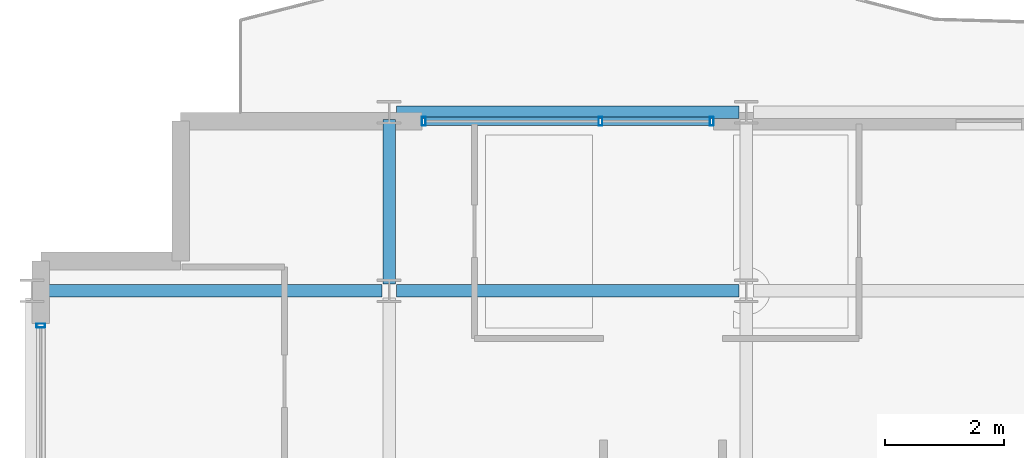
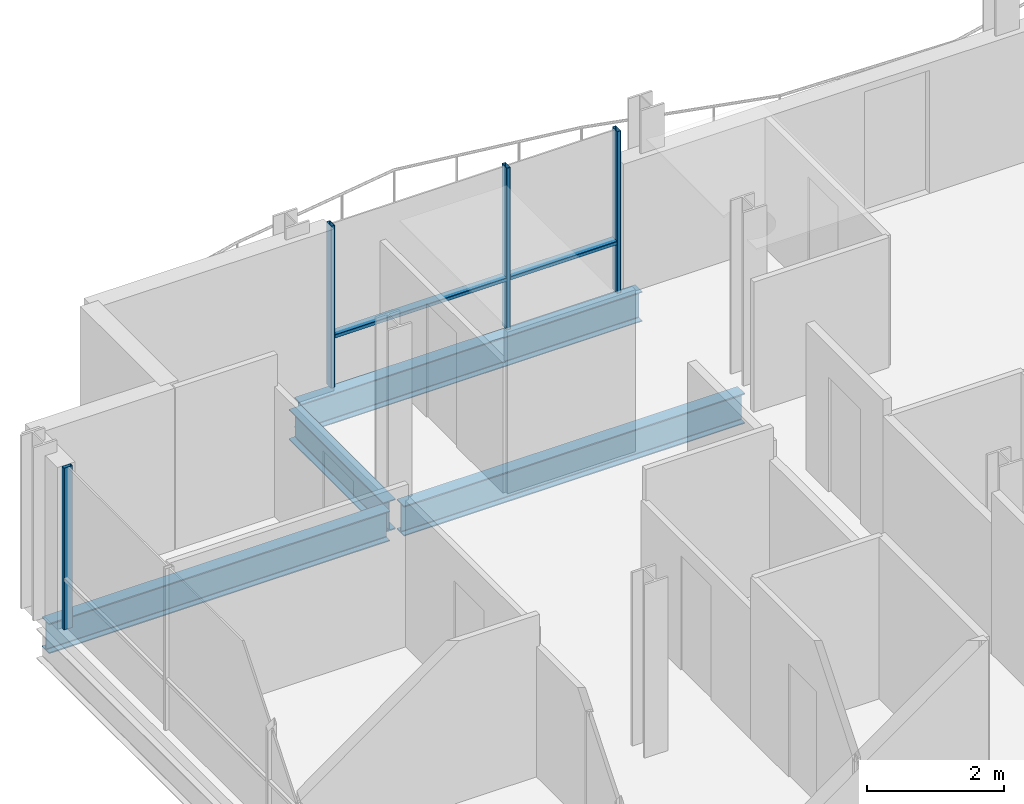
# One storey, part 7 of 27: 6 members, 4 beams, 2 elements without a shape of their own.
"""IFC4 building model written with IfcOpenShell, lengths in metres."""

from ifc_helpers import new_model, si_unit, direction, frame, origin, origin_2d, place, context, subcontext, project, spatial, hollow_rectangle, i_section, extrude, material, layer, layer_set, material_profile, profile_set, type_object, element, aggregate, save


model = new_model("IFC4")

# Units and contexts
model_context = context("Model", 3, precision=1e-05, world=origin(), true_north=direction((0.0, 1.0)))
body_context = subcontext(model_context, "Body", "Model", "MODEL_VIEW")
ifc_project = project(units=[si_unit("LENGTHUNIT", "METRE"), si_unit("AREAUNIT", "SQUARE_METRE"), si_unit("VOLUMEUNIT", "CUBIC_METRE"), si_unit("PLANEANGLEUNIT", "RADIAN"), si_unit("MASSUNIT", "GRAM", prefix="KILO")], contexts=[model_context])

# Site, building, storey
site_placement = place(None, origin())
site = spatial("IfcSite", under=ifc_project, at=site_placement, CompositionType="ELEMENT")
building_placement = place(site_placement, origin())
building = spatial("IfcBuilding", under=site, at=building_placement, Name="Brevholm Reach", CompositionType="ELEMENT")
storey_placement = place(building_placement, frame((0.0, 0.0, 195.60009765625)))
storey = spatial("IfcBuildingStorey", under=building, at=storey_placement, Name="L59", CompositionType="ELEMENT", Elevation=195.60009765625)

# Beams
ifc_material_1 = material(Name="Structural Steel S355J2", Category="steel")
ifc_material_profile_1 = material_profile(ifc_material_1, i_section(OverallWidth=0.209228515625, OverallDepth=0.533203125, WebThickness=0.010009765625, FlangeThickness=0.015625, FilletRadius=0.0126953125, at=origin_2d()), Name="UKB 533x210x92")
ifc_profile_set_1 = profile_set([ifc_material_profile_1], Name="Structural Steel S355J2")
beam_type_1 = type_object("IfcBeamType", Name="BM-SP533", PredefinedType="SPANDREL", material=ifc_profile_set_1)
beam_1_placement = place(storey_placement, frame((6.1201171875, 26.5, -0.4765625), z_axis=(1.0, 0.0, 0.0), x_axis=(0.0, 1.0, 0.0)))
element("IfcBeam", 1, at=beam_1_placement, inside=storey, type_object=beam_type_1, Name="L59 SP-02 Framing Beam", PredefinedType="SPANDREL", context=body_context, shape_type="SweptSolid", body=[
    extrude(i_section(OverallWidth=0.209228515625, OverallDepth=0.533203125, WebThickness=0.010009765625, FlangeThickness=0.015625, FilletRadius=0.0126953125, at=origin_2d()), origin(), (0.0, 0.0, 1.0), 5.759765625),
])
ifc_material_2 = material(Name="Structural Steel S355J2", Category="steel")
ifc_material_profile_2 = material_profile(ifc_material_2, i_section(OverallWidth=0.210693359375, OverallDepth=0.53955078125, WebThickness=0.01171875, FlangeThickness=0.018798828125, FilletRadius=0.0126953125, at=origin_2d()), Name="UKB 533x210x109")
ifc_profile_set_2 = profile_set([ifc_material_profile_2], Name="Structural Steel S355J2")
beam_type_2 = type_object("IfcBeamType", Name="BM-SP539", PredefinedType="SPANDREL", material=ifc_profile_set_2)
for number, where, z_axis, x_axis, name in (
    (2, (0.1201171875, 23.5, -0.479736328125), (1.0, 0.0, 0.0), (0.0, 1.0, 0.0), "L59 SP-01B Framing Beam"),
    (3, (6.1201171875, 23.5, -0.479736328125), (1.0, 0.0, 0.0), (0.0, 1.0, 0.0), "L59 SP-01B Framing Beam"),
):
    element("IfcBeam", number, at=place(storey_placement, frame(where, z_axis=z_axis, x_axis=x_axis)), inside=storey, type_object=beam_type_2, Name=name, PredefinedType="SPANDREL", context=body_context, shape_type="SweptSolid", body=[
        extrude(i_section(OverallWidth=0.210693359375, OverallDepth=0.53955078125, WebThickness=0.01171875, FlangeThickness=0.018798828125, FilletRadius=0.0126953125, at=origin_2d()), origin(), (0.0, 0.0, 1.0), 5.759765625),
    ])
beam_2_placement = place(storey_placement, frame((6.0, 23.6201171875, -0.479736328125), z_axis=(0.0, 1.0, 0.0), x_axis=(-1.0, 0.0, 0.0)))
element("IfcBeam", 4, at=beam_2_placement, inside=storey, type_object=beam_type_2, Name="L59 SP-01B Framing Beam", PredefinedType="SPANDREL", context=body_context, shape_type="SweptSolid", body=[
    extrude(i_section(OverallWidth=0.210693359375, OverallDepth=0.53955078125, WebThickness=0.01171875, FlangeThickness=0.018798828125, FilletRadius=0.0126953125, at=origin_2d()), origin(), (0.0, 0.0, 1.0), 2.759765625),
])

# Curtain wall, member
ifc_material_3 = material(Name="Dark Anodised Aluminium 6063-T6 and Solar-Control Glass", Category="aluminium")
ifc_layer = layer(ifc_material_3, 0.14990234375)
ifc_layer_set = layer_set([ifc_layer], Name="Dark Anodised Aluminium 6063-T6 and Solar-Control Glass")
curtain_wall_type = type_object("IfcCurtainWallType", Name="CW-01", PredefinedType="NOTDEFINED", material=ifc_layer_set)
curtain_wall_1_placement = place(storey_placement, origin())
curtain_wall_1 = element("IfcCurtainWall", 5, at=curtain_wall_1_placement, inside=storey, type_object=curtain_wall_type, Name="L59 Curtain Wall CW-01", PredefinedType="NOTDEFINED")
ifc_material_4 = material(Name="Dark Anodised Aluminium 6063-T6", Category="aluminium")
ifc_material_profile_3 = material_profile(ifc_material_4, hollow_rectangle(XDim=0.06494140625, YDim=0.14990234375, WallThickness=0.0048828125, InnerFilletRadius=0.0048828125, OuterFilletRadius=0.010009765625, at=origin_2d()), Name="RHS 150x65x5")
ifc_profile_set_3 = profile_set([ifc_material_profile_3], Name="Dark Anodised Aluminium 6063-T6")
member_type_1 = type_object("IfcMemberType", Name="CWM-150", PredefinedType="MULLION", material=ifc_profile_set_3)
member_1_placement = place(storey_placement, frame((0.14990234375, 22.91748046875, 0.0), z_axis=(0.0, 0.0, 1.0), x_axis=(0.0, -1.0, 0.0)))
member_1 = element("IfcMember", 6, at=member_1_placement, type_object=member_type_1, Name="CM-150 Mullion 1", PredefinedType="MULLION", context=body_context, shape_type="SweptSolid", body=[
    extrude(hollow_rectangle(XDim=0.06494140625, YDim=0.14990234375, WallThickness=0.0048828125, InnerFilletRadius=0.0048828125, OuterFilletRadius=0.010009765625, at=origin_2d()), origin(), (0.0, 0.0, 1.0), 2.889892578125),
])
aggregate(curtain_wall_1, [member_1])

# Curtain wall, members
curtain_wall_2_placement = place(storey_placement, origin())
curtain_wall_2 = element("IfcCurtainWall", 7, at=curtain_wall_2_placement, inside=storey, type_object=curtain_wall_type, Name="L59 Curtain Wall CW-01", PredefinedType="NOTDEFINED")
member_2_placement = place(storey_placement, frame((6.58251953125, 26.35009765625, 0.0), z_axis=(0.0, 0.0, 1.0), x_axis=(1.0, 0.0, 0.0)))
member_2 = element("IfcMember", 8, at=member_2_placement, type_object=member_type_1, Name="CM-150 Mullion 1", PredefinedType="MULLION", context=body_context, shape_type="SweptSolid", body=[
    extrude(hollow_rectangle(XDim=0.06494140625, YDim=0.14990234375, WallThickness=0.0048828125, InnerFilletRadius=0.0048828125, OuterFilletRadius=0.010009765625, at=origin_2d()), origin(), (0.0, 0.0, 1.0), 2.889892578125),
])
member_3_placement = place(storey_placement, frame((9.550048828125, 26.35009765625, 0.0), z_axis=(0.0, 0.0, 1.0), x_axis=(1.0, 0.0, 0.0)))
member_3 = element("IfcMember", 9, at=member_3_placement, type_object=member_type_1, Name="CM-150 Mullion 2", PredefinedType="MULLION", context=body_context, shape_type="SweptSolid", body=[
    extrude(hollow_rectangle(XDim=0.06494140625, YDim=0.14990234375, WallThickness=0.0048828125, InnerFilletRadius=0.0048828125, OuterFilletRadius=0.010009765625, at=origin_2d()), origin(), (0.0, 0.0, 1.0), 2.889892578125),
])
member_4_placement = place(storey_placement, frame((11.41748046875, 26.35009765625, 0.0), z_axis=(0.0, 0.0, 1.0), x_axis=(1.0, 0.0, 0.0)))
member_4 = element("IfcMember", 10, at=member_4_placement, type_object=member_type_1, Name="CM-150 Mullion 3", PredefinedType="MULLION", context=body_context, shape_type="SweptSolid", body=[
    extrude(hollow_rectangle(XDim=0.06494140625, YDim=0.14990234375, WallThickness=0.0048828125, InnerFilletRadius=0.0048828125, OuterFilletRadius=0.010009765625, at=origin_2d()), origin(), (0.0, 0.0, 1.0), 2.889892578125),
])
ifc_material_5 = material(Name="Dark Anodised Aluminium 6063-T6", Category="aluminium")
ifc_material_profile_4 = material_profile(ifc_material_5, hollow_rectangle(XDim=0.06494140625, YDim=0.14990234375, WallThickness=0.0048828125, InnerFilletRadius=0.0048828125, OuterFilletRadius=0.010009765625, at=origin_2d()), Name="RHS 150x65x5")
ifc_profile_set_4 = profile_set([ifc_material_profile_4], Name="Dark Anodised Aluminium 6063-T6")
member_type_2 = type_object("IfcMemberType", Name="CWT-150", PredefinedType="NOTDEFINED", material=ifc_profile_set_4)
member_5_placement = place(storey_placement, frame((6.614990234375, 26.35009765625, 0.89990234375), z_axis=(1.0, 0.0, 0.0), x_axis=(0.0, 0.0, 1.0)))
member_5 = element("IfcMember", 11, at=member_5_placement, type_object=member_type_2, Name="CT-150 Transom 1.1", ObjectType="TRANSOM", PredefinedType="USERDEFINED", context=body_context, shape_type="SweptSolid", body=[
    extrude(hollow_rectangle(XDim=0.06494140625, YDim=0.14990234375, WallThickness=0.0048828125, InnerFilletRadius=0.0048828125, OuterFilletRadius=0.010009765625, at=origin_2d()), origin(), (0.0, 0.0, 1.0), 2.902587890625),
])
member_6_placement = place(storey_placement, frame((9.58251953125, 26.35009765625, 0.89990234375), z_axis=(1.0, 0.0, 0.0), x_axis=(0.0, 0.0, 1.0)))
member_6 = element("IfcMember", 12, at=member_6_placement, type_object=member_type_2, Name="CT-150 Transom 2.1", ObjectType="TRANSOM", PredefinedType="USERDEFINED", context=body_context, shape_type="SweptSolid", body=[
    extrude(hollow_rectangle(XDim=0.06494140625, YDim=0.14990234375, WallThickness=0.0048828125, InnerFilletRadius=0.0048828125, OuterFilletRadius=0.010009765625, at=origin_2d()), origin(), (0.0, 0.0, 1.0), 1.802490234375),
])
aggregate(curtain_wall_2, [member_2, member_3, member_4, member_5, member_6])

save(model, "model.ifc")
